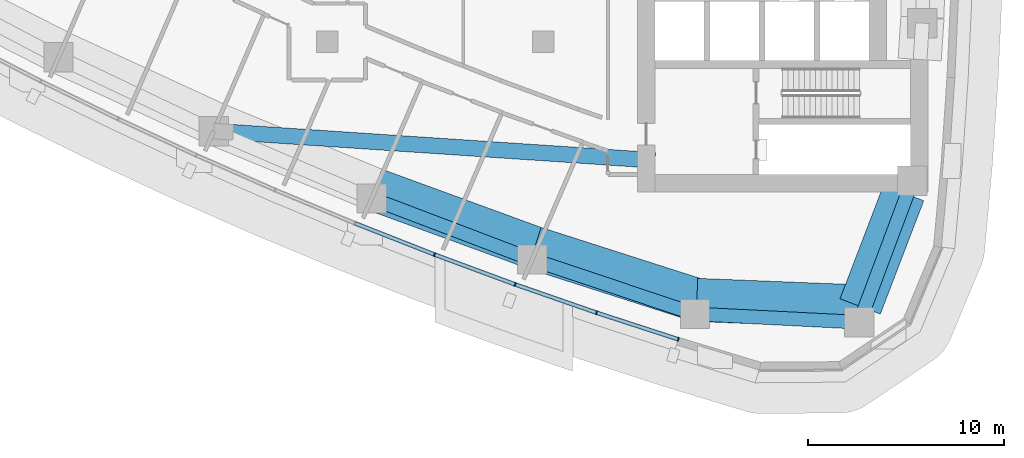
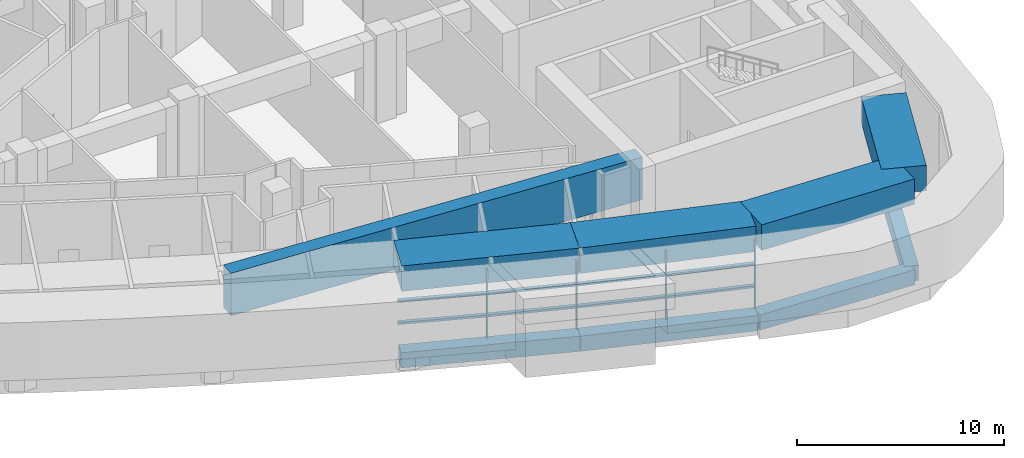
# One storey, part 4 of 18: 12 members, 9 beams, 2 elements without a shape of their own.
"""IFC4 building model written with IfcOpenShell, lengths in metres."""

from ifc_helpers import new_model, si_unit, direction, frame, origin, origin_2d, place, context, subcontext, project, spatial, rectangle, extrude, material, layer, layer_set, material_profile, profile_set, type_object, element, aggregate, save


model = new_model("IFC4")

# Units and contexts
model_context = context("Model", 3, precision=1e-05, world=origin(), true_north=direction((0.0, 1.0)))
body_context = subcontext(model_context, "Body", "Model", "MODEL_VIEW")
ifc_project = project(units=[si_unit("LENGTHUNIT", "METRE"), si_unit("AREAUNIT", "SQUARE_METRE"), si_unit("VOLUMEUNIT", "CUBIC_METRE"), si_unit("PLANEANGLEUNIT", "RADIAN"), si_unit("MASSUNIT", "GRAM", prefix="KILO")], contexts=[model_context])

# Site, building, storey
site_placement = place(None, origin())
site = spatial("IfcSite", under=ifc_project, at=site_placement, CompositionType="ELEMENT")
building_placement = place(site_placement, origin())
building = spatial("IfcBuilding", under=site, at=building_placement, Name="Ostrand Prow Hotel Tower", CompositionType="ELEMENT")
storey_placement = place(building_placement, frame((0.0, 0.0, 165.699951171875)))
storey = spatial("IfcBuildingStorey", under=building, at=storey_placement, Name="L41", CompositionType="ELEMENT", Elevation=165.699951171875)

# Beams
ifc_material_1 = material(Name="Concrete C70/85", Category="concrete")
ifc_material_profile_1 = material_profile(ifc_material_1, rectangle(XDim=2.199951171875, YDim=1.5, at=origin_2d()), Name="RC 2200x1500")
ifc_profile_set_1 = profile_set([ifc_material_profile_1], Name="Concrete C70/85")
beam_type_1 = type_object("IfcBeamType", Name="Belt girder 2200x1500 C70/85", PredefinedType="BEAM", material=ifc_profile_set_1)
beam_1_placement = place(storey_placement, frame((36.4013671875, -16.522216796875, 4.150146484375), z_axis=(0.939230075699, -0.34328831163, 0.0), x_axis=(0.34328831163, 0.939230075699, 0.0)))
element("IfcBeam", 1, at=beam_1_placement, inside=storey, type_object=beam_type_1, Name="Belt girder S4-S5", PredefinedType="BEAM", context=body_context, shape_type="SweptSolid", body=[
    extrude(rectangle(XDim=2.199951171875, YDim=1.5, at=origin_2d()), origin(), (0.0, 0.0, 1.0), 8.68701171875),
])
beam_2_placement = place(storey_placement, frame((44.560546875, -19.50439453125, 4.150146484375), z_axis=(0.952363104958, -0.304966418341, 0.0), x_axis=(0.304966418341, 0.952363104958, 0.0)))
element("IfcBeam", 2, at=beam_2_placement, inside=storey, type_object=beam_type_1, Name="Belt girder S5-S6", PredefinedType="BEAM", context=body_context, shape_type="SweptSolid", body=[
    extrude(rectangle(XDim=2.199951171875, YDim=1.5, at=origin_2d()), origin(), (0.0, 0.0, 1.0), 8.686767578125),
])
beam_3_placement = place(storey_placement, frame((52.83349609375, -22.153564453125, 4.150146484375), z_axis=(0.999210154281, -0.039737483333, 0.0), x_axis=(0.039737483333, 0.999210154281, 0.0)))
element("IfcBeam", 3, at=beam_3_placement, inside=storey, type_object=beam_type_1, Name="Belt girder S6-SE", PredefinedType="BEAM", context=body_context, shape_type="SweptSolid", body=[
    extrude(rectangle(XDim=2.199951171875, YDim=1.5, at=origin_2d()), origin(), (0.0, 0.0, 1.0), 8.3310546875),
])
beam_4_placement = place(storey_placement, frame((61.157958984375, -22.484619140625, 4.150146484375), z_axis=(0.357465148748, 0.9339264786, 0.0), x_axis=(-0.9339264786, 0.357465148748, 0.0)))
element("IfcBeam", 4, at=beam_4_placement, inside=storey, type_object=beam_type_1, Name="Belt girder SE-B1", PredefinedType="BEAM", context=body_context, shape_type="SweptSolid", body=[
    extrude(rectangle(XDim=2.199951171875, YDim=1.5, at=origin_2d()), origin(), (0.0, 0.0, 1.0), 6.19384765625),
])
ifc_material_2 = material(Name="Concrete C70/85", Category="concrete")
ifc_material_profile_2 = material_profile(ifc_material_2, rectangle(XDim=0.699951171875, YDim=0.89990234375, at=origin_2d()), Name="RC 700x900")
ifc_profile_set_2 = profile_set([ifc_material_profile_2], Name="Concrete C70/85")
beam_type_2 = type_object("IfcBeamType", Name="Edge beam 700x900 C70/85", PredefinedType="SPANDREL", material=ifc_profile_set_2)
for number, where, z_axis, x_axis, name in (
    (5, (36.255615234375, -16.98388671875, -0.849853515625), (0.93479358236, -0.355191439055, 0.0), (0.355191439055, 0.93479358236, 0.0), "Edge beam S4-S5"),
    (6, (44.438232421875, -20.093017578125, -0.849853515625), (0.948376051094, -0.317148018616, 0.0), (0.317148018616, 0.948376051094, 0.0), "Edge beam S5-S6"),
):
    element("IfcBeam", number, at=place(storey_placement, frame(where, z_axis=z_axis, x_axis=x_axis)), inside=storey, type_object=beam_type_2, Name=name, PredefinedType="SPANDREL", context=body_context, shape_type="SweptSolid", body=[
        extrude(rectangle(XDim=0.699951171875, YDim=0.89990234375, at=origin_2d()), origin(), (0.0, 0.0, 1.0), 8.75341796875),
    ])
beam_5_placement = place(storey_placement, frame((52.73974609375, -22.869140625, -0.849853515625), z_axis=(0.99873741544, -0.050235196825, 0.0), x_axis=(0.050235196825, 0.99873741544, 0.0)))
element("IfcBeam", 7, at=beam_5_placement, inside=storey, type_object=beam_type_2, Name="Edge beam S6-SE", PredefinedType="SPANDREL", context=body_context, shape_type="SweptSolid", body=[
    extrude(rectangle(XDim=0.699951171875, YDim=0.89990234375, at=origin_2d()), origin(), (0.0, 0.0, 1.0), 8.38818359375),
])
beam_6_placement = place(storey_placement, frame((61.117431640625, -23.29052734375, -0.849853515625), z_axis=(0.350602524344, 0.93652435629, 0.0), x_axis=(-0.93652435629, 0.350602524344, 0.0)))
element("IfcBeam", 8, at=beam_6_placement, inside=storey, type_object=beam_type_2, Name="Edge beam SE-B1", PredefinedType="SPANDREL", context=body_context, shape_type="SweptSolid", body=[
    extrude(rectangle(XDim=0.699951171875, YDim=0.89990234375, at=origin_2d()), origin(), (0.0, 0.0, 1.0), 7.037353515625),
])

# Curtain wall, members
ifc_material_3 = material(Name="Insulated glass in bronze anodised frame", Category="glass")
ifc_layer = layer(ifc_material_3, 0.199951171875)
ifc_layer_set = layer_set([ifc_layer], Name="Insulated glass in bronze anodised frame")
curtain_wall_type = type_object("IfcCurtainWallType", Name="Plant storey louvre wall", PredefinedType="NOTDEFINED", material=ifc_layer_set)
curtain_wall_1_placement = place(storey_placement, origin())
curtain_wall_1 = element("IfcCurtainWall", 9, at=curtain_wall_1_placement, inside=storey, type_object=curtain_wall_type, Name="CW7 run CWS4", PredefinedType="NOTDEFINED")
ifc_material_4 = material(Name="Bronze anodised aluminium", Category="aluminium")
ifc_material_profile_3 = material_profile(ifc_material_4, rectangle(XDim=0.199951171875, YDim=0.06005859375, at=origin_2d()), Name="Mullion 60x200 bronze anodised aluminium")
ifc_profile_set_3 = profile_set([ifc_material_profile_3], Name="Bronze anodised aluminium")
member_type_1 = type_object("IfcMemberType", Name="Mullion 60x200 bronze anodised aluminium", PredefinedType="MULLION", material=ifc_profile_set_3)
member_1_placement = place(storey_placement, frame((39.462158203125, -19.8408203125, 0.900146484375), z_axis=(0.0, 0.0, 1.0), x_axis=(0.347341576459, 0.937738678558, 0.0)))
member_1 = element("IfcMember", 10, at=member_1_placement, type_object=member_type_1, Name="CW7 mullion 2", PredefinedType="MULLION", context=body_context, shape_type="SweptSolid", body=[
    extrude(rectangle(XDim=0.199951171875, YDim=0.06005859375, at=origin_2d()), origin(), (0.0, 0.0, 1.0), 4.0),
])
member_2_placement = place(storey_placement, frame((43.5751953125, -21.3642578125, 0.900146484375), z_axis=(0.0, 0.0, 1.0), x_axis=(0.347341576459, 0.937738678558, 0.0)))
member_2 = element("IfcMember", 11, at=member_2_placement, type_object=member_type_1, Name="CW7 mullion 3", PredefinedType="MULLION", context=body_context, shape_type="SweptSolid", body=[
    extrude(rectangle(XDim=0.199951171875, YDim=0.06005859375, at=origin_2d()), origin(), (0.0, 0.0, 1.0), 4.0),
])

curtain_wall_2_placement = place(storey_placement, origin())
curtain_wall_2 = element("IfcCurtainWall", 12, at=curtain_wall_2_placement, inside=storey, type_object=curtain_wall_type, Name="CW7 run CWS5", PredefinedType="NOTDEFINED")
member_3_placement = place(storey_placement, frame((47.718017578125, -22.8046875, 0.900146484375), z_axis=(0.0, 0.0, 1.0), x_axis=(0.309380491373, 0.950938332153, 0.0)))
member_3 = element("IfcMember", 13, at=member_3_placement, type_object=member_type_1, Name="CW7 mullion 2", PredefinedType="MULLION", context=body_context, shape_type="SweptSolid", body=[
    extrude(rectangle(XDim=0.199951171875, YDim=0.06005859375, at=origin_2d()), origin(), (0.0, 0.0, 1.0), 4.0),
])
member_4_placement = place(storey_placement, frame((51.888916015625, -24.16162109375, 0.900146484375), z_axis=(0.0, 0.0, 1.0), x_axis=(0.309380491373, 0.950938332153, 0.0)))
member_4 = element("IfcMember", 14, at=member_4_placement, type_object=member_type_1, Name="CW7 mullion 3", PredefinedType="MULLION", context=body_context, shape_type="SweptSolid", body=[
    extrude(rectangle(XDim=0.199951171875, YDim=0.06005859375, at=origin_2d()), origin(), (0.0, 0.0, 1.0), 4.0),
])

# Beam
ifc_material_5 = material(Name="Concrete C70/85", Category="concrete")
ifc_material_profile_4 = material_profile(ifc_material_5, rectangle(XDim=0.800048828125, YDim=2.5, at=origin_2d()), Name="RC 800x2500")
ifc_profile_set_4 = profile_set([ifc_material_profile_4], Name="Concrete C70/85")
beam_type_3 = type_object("IfcBeamType", Name="Outrigger lintel 800x2500 C70/85", PredefinedType="LINTEL", material=ifc_profile_set_4)
beam_7_placement = place(storey_placement, frame((50.69873046875, -15.039794921875, 3.650146484375), z_axis=(-0.997805066361, 0.066219706611, 0.0), x_axis=(-0.066219706611, -0.997805066361, 0.0)))
element("IfcBeam", 15, at=beam_7_placement, inside=storey, type_object=beam_type_3, Name="Outrigger lintel DS1", PredefinedType="LINTEL", context=body_context, shape_type="SweptSolid", body=[
    extrude(rectangle(XDim=0.800048828125, YDim=2.5, at=origin_2d()), origin(), (0.0, 0.0, 1.0), 22.14306640625),
])

# Member
ifc_material_6 = material(Name="Bronze anodised aluminium", Category="aluminium")
ifc_material_profile_5 = material_profile(ifc_material_6, rectangle(XDim=0.199951171875, YDim=0.1201171875, at=origin_2d()), Name="Transom 120x200 bronze anodised aluminium")
ifc_profile_set_5 = profile_set([ifc_material_profile_5], Name="Bronze anodised aluminium")
member_type_2 = type_object("IfcMemberType", Name="Transom 120x200 bronze anodised aluminium", PredefinedType="USERDEFINED", material=ifc_profile_set_5)
member_5_placement = place(storey_placement, frame((35.408447265625, -18.245849609375, 2.199951171875), z_axis=(0.930563430162, -0.366130717701, 0.0), x_axis=(0.366130717701, 0.930563430162, 0.0)))
member_5 = element("IfcMember", 16, at=member_5_placement, type_object=member_type_2, Name="CW7 transom 1.1", ObjectType="TRANSOM", PredefinedType="USERDEFINED", context=body_context, shape_type="SweptSolid", body=[
    extrude(rectangle(XDim=0.199951171875, YDim=0.1201171875, at=origin_2d()), origin(), (0.0, 0.0, 1.0), 4.326171875),
])

member_6_placement = place(storey_placement, frame((35.408447265625, -18.245849609375, 3.5), z_axis=(0.930563430162, -0.366130717701, 0.0), x_axis=(0.366130717701, 0.930563430162, 0.0)))
member_6 = element("IfcMember", 17, at=member_6_placement, type_object=member_type_2, Name="CW7 transom 1.2", ObjectType="TRANSOM", PredefinedType="USERDEFINED", context=body_context, shape_type="SweptSolid", body=[
    extrude(rectangle(XDim=0.199951171875, YDim=0.1201171875, at=origin_2d()), origin(), (0.0, 0.0, 1.0), 4.326171875),
])

member_7_placement = place(storey_placement, frame((39.490234375, -19.851318359375, 2.199951171875), z_axis=(0.937756929379, -0.347292299657, 0.0), x_axis=(0.347292299657, 0.937756929379, 0.0)))
member_7 = element("IfcMember", 18, at=member_7_placement, type_object=member_type_2, Name="CW7 transom 2.1", ObjectType="TRANSOM", PredefinedType="USERDEFINED", context=body_context, shape_type="SweptSolid", body=[
    extrude(rectangle(XDim=0.199951171875, YDim=0.1201171875, at=origin_2d()), origin(), (0.0, 0.0, 1.0), 4.326171875),
])

member_8_placement = place(storey_placement, frame((39.490234375, -19.851318359375, 3.5), z_axis=(0.937756929379, -0.347292299657, 0.0), x_axis=(0.347292299657, 0.937756929379, 0.0)))
member_8 = element("IfcMember", 19, at=member_8_placement, type_object=member_type_2, Name="CW7 transom 2.2", ObjectType="TRANSOM", PredefinedType="USERDEFINED", context=body_context, shape_type="SweptSolid", body=[
    extrude(rectangle(XDim=0.199951171875, YDim=0.1201171875, at=origin_2d()), origin(), (0.0, 0.0, 1.0), 4.326171875),
])

aggregate(curtain_wall_1, [member_1, member_2, member_5, member_6, member_7, member_8])

member_9_placement = place(storey_placement, frame((43.603515625, -21.3740234375, 2.199951171875), z_axis=(0.944524201162, -0.328441826538, 0.0), x_axis=(0.328441826538, 0.944524201162, 0.0)))
member_9 = element("IfcMember", 20, at=member_9_placement, type_object=member_type_2, Name="CW7 transom 1.1", ObjectType="TRANSOM", PredefinedType="USERDEFINED", context=body_context, shape_type="SweptSolid", body=[
    extrude(rectangle(XDim=0.199951171875, YDim=0.1201171875, at=origin_2d()), origin(), (0.0, 0.0, 1.0), 4.326171875),
])

member_10_placement = place(storey_placement, frame((43.603515625, -21.3740234375, 3.5), z_axis=(0.944524201162, -0.328441826538, 0.0), x_axis=(0.328441826538, 0.944524201162, 0.0)))
member_10 = element("IfcMember", 21, at=member_10_placement, type_object=member_type_2, Name="CW7 transom 1.2", ObjectType="TRANSOM", PredefinedType="USERDEFINED", context=body_context, shape_type="SweptSolid", body=[
    extrude(rectangle(XDim=0.199951171875, YDim=0.1201171875, at=origin_2d()), origin(), (0.0, 0.0, 1.0), 4.326171875),
])

member_11_placement = place(storey_placement, frame((47.74658203125, -22.81396484375, 2.199951171875), z_axis=(0.950938634958, -0.309379560643, 0.0), x_axis=(0.309379560643, 0.950938634958, 0.0)))
member_11 = element("IfcMember", 22, at=member_11_placement, type_object=member_type_2, Name="CW7 transom 2.1", ObjectType="TRANSOM", PredefinedType="USERDEFINED", context=body_context, shape_type="SweptSolid", body=[
    extrude(rectangle(XDim=0.199951171875, YDim=0.1201171875, at=origin_2d()), origin(), (0.0, 0.0, 1.0), 4.325927734375),
])

member_12_placement = place(storey_placement, frame((47.74658203125, -22.81396484375, 3.5), z_axis=(0.950938634958, -0.309379560643, 0.0), x_axis=(0.309379560643, 0.950938634958, 0.0)))
member_12 = element("IfcMember", 23, at=member_12_placement, type_object=member_type_2, Name="CW7 transom 2.2", ObjectType="TRANSOM", PredefinedType="USERDEFINED", context=body_context, shape_type="SweptSolid", body=[
    extrude(rectangle(XDim=0.199951171875, YDim=0.1201171875, at=origin_2d()), origin(), (0.0, 0.0, 1.0), 4.325927734375),
])

aggregate(curtain_wall_2, [member_3, member_4, member_9, member_10, member_11, member_12])

save(model, "model.ifc")
